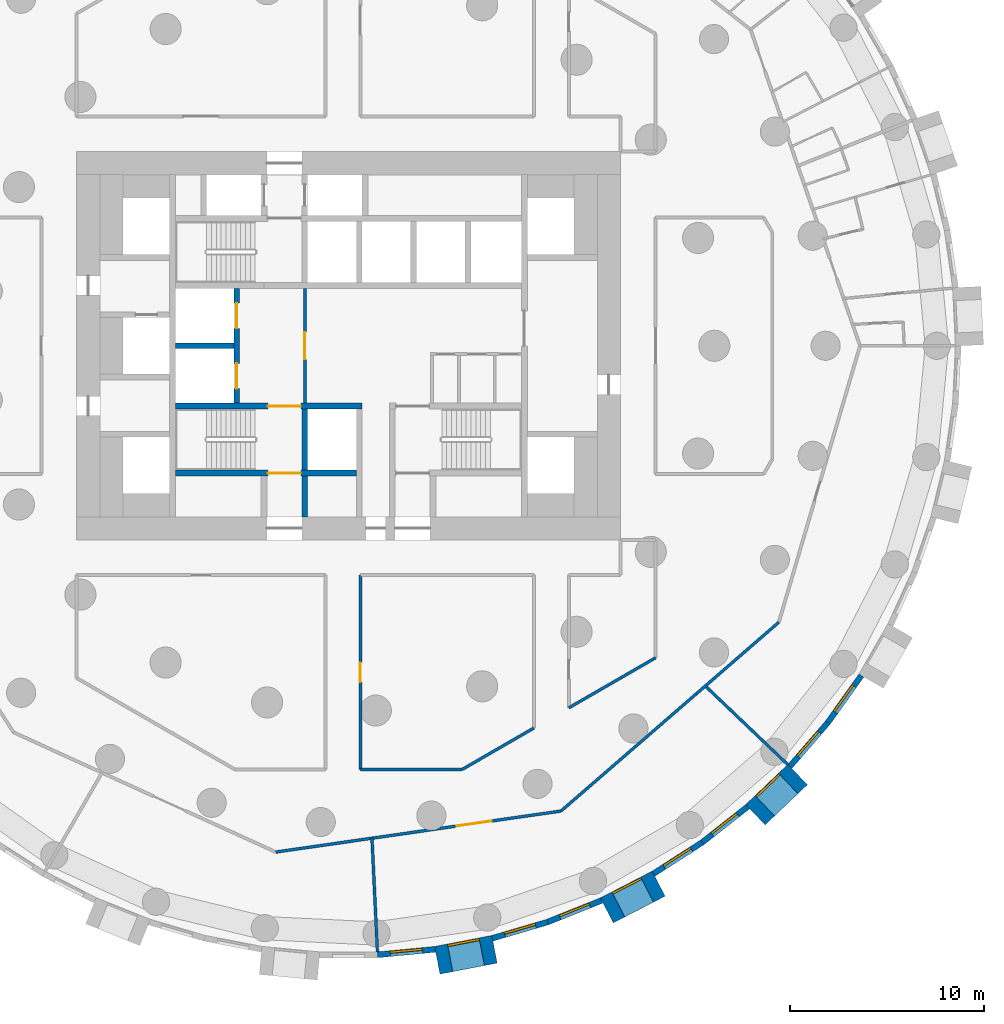
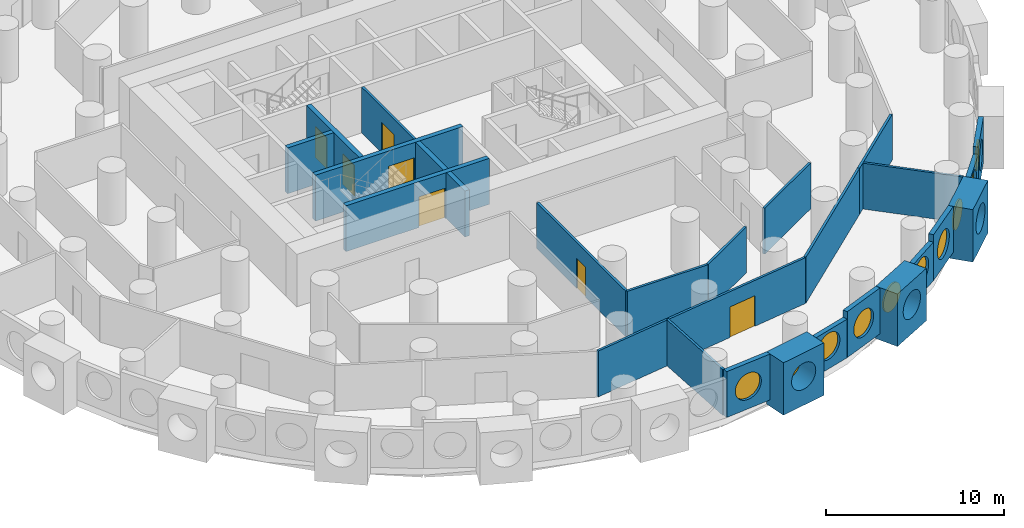
# One storey, part 4 of 12: 26 walls, 10 windows, 7 doors, 17 openings.
"""IFC4 building model written with IfcOpenShell, lengths in metres."""

from ifc_helpers import new_model, si_unit, direction, frame, frame_2d, origin, origin_2d, place, context, subcontext, project, spatial, rectangle, circle, extrude, material, layer, layer_set, type_object, element, fill, save


model = new_model("IFC4")

# Units and contexts
model_context = context("Model", 3, precision=1e-05, world=origin(), true_north=direction((0.0, 1.0)))
body_context = subcontext(model_context, "Body", "Model", "MODEL_VIEW")
ifc_project = project(units=[si_unit("LENGTHUNIT", "METRE"), si_unit("AREAUNIT", "SQUARE_METRE"), si_unit("VOLUMEUNIT", "CUBIC_METRE"), si_unit("PLANEANGLEUNIT", "RADIAN"), si_unit("MASSUNIT", "GRAM", prefix="KILO")], contexts=[model_context])

# Site, building, storey
site_placement = place(None, origin())
site = spatial("IfcSite", under=ifc_project, at=site_placement, CompositionType="ELEMENT")
building_placement = place(site_placement, origin())
building = spatial("IfcBuilding", under=site, at=building_placement, Name="Tracery Tower", CompositionType="ELEMENT")
storey_placement = place(building_placement, frame((0.0, 0.0, 42.60009765625)))
storey = spatial("IfcBuildingStorey", under=building, at=storey_placement, Name="L09", CompositionType="ELEMENT", Elevation=42.60009765625)

# Wall, opening, door
ifc_material_1 = material(Name="Plasterboard on steel studs", Category="steel")
ifc_layer_1 = layer(ifc_material_1, 0.14990234375)
ifc_layer_set_1 = layer_set([ifc_layer_1], Name="Core lobby partition 150")
wall_type_1 = type_object("IfcWallType", Name="Core lobby partition 150", PredefinedType="SOLIDWALL", material=ifc_layer_set_1)
wall_1_placement = place(storey_placement, frame((-2.25, -2.949951171875, 0.0), z_axis=(0.0, 0.0, 1.0), x_axis=(0.0, 1.0, 0.0)))
wall_1 = element("IfcWall", 1, at=wall_1_placement, inside=storey, type_object=wall_type_1, Name="L09 FF lobby E", PredefinedType="SOLIDWALL", context=body_context, shape_type="SweptSolid", body=[
    extrude(rectangle(XDim=5.89990234375, YDim=0.14990234375, at=frame_2d((2.949951171875, 0.0))), origin(), (0.0, 0.0, 1.0), 3.14990234375),
])
opening_1_placement = place(wall_1_placement, frame((2.25, 0.0, 0.0)))
opening_1 = element("IfcOpeningElement", 2, at=opening_1_placement, cuts=wall_1, Name="Opening KD8", PredefinedType="OPENING", context=body_context, shape_type="SweptSolid", body=[
    extrude(rectangle(XDim=1.39990234375, YDim=2.10009765625, at=frame_2d((0.699951171875, 1.050048828125))), frame((0.0, 0.074951171875, 0.0), z_axis=(0.0, -1.0, 0.0), x_axis=(1.0, 0.0, 0.0)), (0.0, 0.0, 1.0), 0.14990234375),
])
ifc_material_2 = material(Name="Steel fire door", Category="steel")
door_type_1 = type_object("IfcDoorType", Name="Core lobby door 1400 double", OperationType="NOTDEFINED", PredefinedType="DOOR", material=ifc_material_2)
door_1_placement = place(opening_1_placement, origin())
door_1 = element("IfcDoor", 3, at=door_1_placement, inside=storey, type_object=door_type_1, Name="Fire-fighting lobby door", OperationType="DOUBLE_DOOR_SINGLE_SWING", OverallHeight=2.10009765625, OverallWidth=1.39990234375, PredefinedType="DOOR", context=body_context, shape_type="SweptSolid", body=[
    extrude(rectangle(XDim=1.39990234375, YDim=2.10009765625, at=frame_2d((0.699951171875, 1.050048828125))), frame((0.0, 0.02490234375, 0.0), z_axis=(0.0, -1.0, 0.0), x_axis=(1.0, 0.0, 0.0)), (0.0, 0.0, 1.0), 0.050048828125),
])
fill(opening_1, door_1)

# Wall, opening, window
ifc_material_3 = material(Name="Precast concrete C50/60", Category="concrete")
ifc_layer_2 = layer(ifc_material_3, 1.449951171875)
ifc_layer_set_2 = layer_set([ifc_layer_2], Name="Deep-set bay unit 3000 x 3600, slab edge 450")
wall_type_2 = type_object("IfcWallType", Name="Deep-set bay unit 3000 x 3600, slab edge 450", PredefinedType="ELEMENTEDWALL", material=ifc_layer_set_2)
wall_2_placement = place(storey_placement, frame((4.56689453125, -31.62109375, -0.4501953125), z_axis=(0.0, 0.0, 1.0), x_axis=(0.981921602273, 0.189288052949, 0.0)))
wall_2 = element("IfcWall", 4, at=wall_2_placement, inside=storey, type_object=wall_type_2, Name="Deep-set bay unit 52 at L09", PredefinedType="ELEMENTEDWALL", context=body_context, shape_type="SweptSolid", body=[
    extrude(rectangle(XDim=3.0, YDim=1.449951171875, at=frame_2d((1.5, 0.0))), origin(), (0.0, 0.0, 1.0), 3.60009765625),
])
opening_2_placement = place(wall_2_placement, frame((1.5, 0.0, 2.0)))
opening_2 = element("IfcOpeningElement", 5, at=opening_2_placement, cuts=wall_2, Name="Opening WN1", PredefinedType="OPENING", context=body_context, shape_type="SweptSolid", body=[
    extrude(circle(Radius=0.9000244140625, at=origin_2d()), frame((0.0, 0.73486328125, 0.0), z_axis=(0.0, -1.0, 0.0), x_axis=(1.0, 0.0, 0.0)), (0.0, 0.0, 1.0), 1.469970703125),
])
ifc_material_4 = material(Name="Aluminium frame with tinted double glazing", Category="aluminium")
window_type = type_object("IfcWindowType", Name="Round window 1800", PartitioningType="SINGLE_PANEL", PredefinedType="WINDOW", material=ifc_material_4)
window_1_placement = place(opening_2_placement, origin())
window_1 = element("IfcWindow", 6, at=window_1_placement, inside=storey, type_object=window_type, Name="Round window 52 at L09", OverallHeight=1.800048828125, OverallWidth=1.800048828125, PartitioningType="SINGLE_PANEL", PredefinedType="WINDOW", context=body_context, shape_type="SweptSolid", body=[
    extrude(circle(Radius=0.9000244140625, at=origin_2d()), frame((0.0, 0.69482421875, 0.0), z_axis=(0.0, -1.0, 0.0), x_axis=(1.0, 0.0, 0.0)), (0.0, 0.0, 1.0), 0.10009765625),
])
fill(opening_2, window_1)

wall_3_placement = place(storey_placement, frame((13.29052734375, -29.053466796875, -0.4501953125), z_axis=(0.0, 0.0, 1.0), x_axis=(0.888858064689, 0.458182650083, 0.0)))
wall_3 = element("IfcWall", 7, at=wall_3_placement, inside=storey, type_object=wall_type_2, Name="Deep-set bay unit 55 at L09", PredefinedType="ELEMENTEDWALL", context=body_context, shape_type="SweptSolid", body=[
    extrude(rectangle(XDim=3.0, YDim=1.449951171875, at=frame_2d((1.5, 0.0))), origin(), (0.0, 0.0, 1.0), 3.60009765625),
])
opening_3_placement = place(wall_3_placement, frame((1.5, 0.0, 2.0)))
opening_3 = element("IfcOpeningElement", 8, at=opening_3_placement, cuts=wall_3, Name="Opening WN1", PredefinedType="OPENING", context=body_context, shape_type="SweptSolid", body=[
    extrude(circle(Radius=0.9000244140625, at=origin_2d()), frame((0.0, 0.73486328125, 0.0), z_axis=(0.0, -1.0, 0.0), x_axis=(1.0, 0.0, 0.0)), (0.0, 0.0, 1.0), 1.469970703125),
])
window_2_placement = place(opening_3_placement, origin())
window_2 = element("IfcWindow", 9, at=window_2_placement, inside=storey, type_object=window_type, Name="Round window 55 at L09", OverallHeight=1.800048828125, OverallWidth=1.800048828125, PartitioningType="SINGLE_PANEL", PredefinedType="WINDOW", context=body_context, shape_type="SweptSolid", body=[
    extrude(circle(Radius=0.9000244140625, at=origin_2d()), frame((0.0, 0.69482421875, 0.0), z_axis=(0.0, -1.0, 0.0), x_axis=(1.0, 0.0, 0.0)), (0.0, 0.0, 1.0), 0.10009765625),
])
fill(opening_3, window_2)

wall_4_placement = place(storey_placement, frame((20.9375, -24.13232421875, -0.4501953125), z_axis=(0.0, 0.0, 1.0), x_axis=(0.723712023899, 0.690102098579, 0.0)))
wall_4 = element("IfcWall", 10, at=wall_4_placement, inside=storey, type_object=wall_type_2, Name="Deep-set bay unit 58 at L09", PredefinedType="ELEMENTEDWALL", context=body_context, shape_type="SweptSolid", body=[
    extrude(rectangle(XDim=3.0, YDim=1.449951171875, at=frame_2d((1.5, 0.0))), origin(), (0.0, 0.0, 1.0), 3.60009765625),
])
opening_4_placement = place(wall_4_placement, frame((1.5, 0.0, 2.0)))
opening_4 = element("IfcOpeningElement", 11, at=opening_4_placement, cuts=wall_4, Name="Opening WN1", PredefinedType="OPENING", context=body_context, shape_type="SweptSolid", body=[
    extrude(circle(Radius=0.9000244140625, at=origin_2d()), frame((0.0, 0.73486328125, 0.0), z_axis=(0.0, -1.0, 0.0), x_axis=(1.0, 0.0, 0.0)), (0.0, 0.0, 1.0), 1.469970703125),
])
window_3_placement = place(opening_4_placement, origin())
window_3 = element("IfcWindow", 12, at=window_3_placement, inside=storey, type_object=window_type, Name="Round window 58 at L09", OverallHeight=1.800048828125, OverallWidth=1.800048828125, PartitioningType="SINGLE_PANEL", PredefinedType="WINDOW", context=body_context, shape_type="SweptSolid", body=[
    extrude(circle(Radius=0.9000244140625, at=origin_2d()), frame((0.0, 0.69482421875, 0.0), z_axis=(0.0, -1.0, 0.0), x_axis=(1.0, 0.0, 0.0)), (0.0, 0.0, 1.0), 0.10009765625),
])
fill(opening_4, window_3)

ifc_material_5 = material(Name="Precast concrete C50/60", Category="concrete")
ifc_layer_3 = layer(ifc_material_5, 0.300048828125)
ifc_layer_set_3 = layer_set([ifc_layer_3], Name="Facade panel 3000 x 2650")
wall_type_3 = type_object("IfcWallType", Name="Facade panel 3000 x 2650", PredefinedType="SOLIDWALL", material=ifc_layer_set_3)
wall_5_placement = place(storey_placement, frame((7.402587890625, -30.48828125, 0.0), z_axis=(0.0, 0.0, 1.0), x_axis=(0.959501085144, 0.281704930036, 0.0)))
wall_5 = element("IfcWall", 13, at=wall_5_placement, inside=storey, type_object=wall_type_3, Name="Facade panel 53 at L09", PredefinedType="SOLIDWALL", context=body_context, shape_type="SweptSolid", body=[
    extrude(rectangle(XDim=2.9794921875, YDim=0.300048828125, at=frame_2d((1.48974609375, 0.0))), origin(), (0.0, 0.0, 1.0), 2.64990234375),
])
opening_5_placement = place(wall_5_placement, frame((1.48974609375, 0.0, 1.5498046875)))
opening_5 = element("IfcOpeningElement", 14, at=opening_5_placement, cuts=wall_5, Name="Opening WN1", PredefinedType="OPENING", context=body_context, shape_type="SweptSolid", body=[
    extrude(circle(Radius=0.9000244140625, at=origin_2d()), frame((0.0, 0.159912109375, 0.0), z_axis=(0.0, -1.0, 0.0), x_axis=(1.0, 0.0, 0.0)), (0.0, 0.0, 1.0), 0.320068359375),
])
window_4_placement = place(opening_5_placement, origin())
window_4 = element("IfcWindow", 15, at=window_4_placement, inside=storey, type_object=window_type, Name="Round window 53 at L09", OverallHeight=1.800048828125, OverallWidth=1.800048828125, PartitioningType="SINGLE_PANEL", PredefinedType="WINDOW", context=body_context, shape_type="SweptSolid", body=[
    extrude(circle(Radius=0.9000244140625, at=origin_2d()), frame((0.0, 0.1201171875, 0.0), z_axis=(0.0, -1.0, 0.0), x_axis=(1.0, 0.0, 0.0)), (0.0, 0.0, 1.0), 0.10009765625),
])
fill(opening_5, window_4)

wall_6_placement = place(storey_placement, frame((15.6923828125, -27.167724609375, 0.0), z_axis=(0.0, 0.0, 1.0), x_axis=(0.841260995538, 0.54062920508, 0.0)))
wall_6 = element("IfcWall", 16, at=wall_6_placement, inside=storey, type_object=wall_type_3, Name="Facade panel 56 at L09", PredefinedType="SOLIDWALL", context=body_context, shape_type="SweptSolid", body=[
    extrude(rectangle(XDim=2.9794921875, YDim=0.300048828125, at=frame_2d((1.48974609375, 0.0))), origin(), (0.0, 0.0, 1.0), 2.64990234375),
])
opening_6_placement = place(wall_6_placement, frame((1.48974609375, 0.0, 1.5498046875)))
opening_6 = element("IfcOpeningElement", 17, at=opening_6_placement, cuts=wall_6, Name="Opening WN1", PredefinedType="OPENING", context=body_context, shape_type="SweptSolid", body=[
    extrude(circle(Radius=0.9000244140625, at=origin_2d()), frame((0.0, 0.159912109375, 0.0), z_axis=(0.0, -1.0, 0.0), x_axis=(1.0, 0.0, 0.0)), (0.0, 0.0, 1.0), 0.320068359375),
])
window_5_placement = place(opening_6_placement, origin())
window_5 = element("IfcWindow", 18, at=window_5_placement, inside=storey, type_object=window_type, Name="Round window 56 at L09", OverallHeight=1.800048828125, OverallWidth=1.800048828125, PartitioningType="SINGLE_PANEL", PredefinedType="WINDOW", context=body_context, shape_type="SweptSolid", body=[
    extrude(circle(Radius=0.9000244140625, at=origin_2d()), frame((0.0, 0.1201171875, 0.0), z_axis=(0.0, -1.0, 0.0), x_axis=(1.0, 0.0, 0.0)), (0.0, 0.0, 1.0), 0.10009765625),
])
fill(opening_6, window_5)

wall_7_placement = place(storey_placement, frame((22.710693359375, -21.646240234375, 0.0), z_axis=(0.0, 0.0, 1.0), x_axis=(0.654830712471, 0.755775587066, 0.0)))
wall_7 = element("IfcWall", 19, at=wall_7_placement, inside=storey, type_object=wall_type_3, Name="Facade panel 59 at L09", PredefinedType="SOLIDWALL", context=body_context, shape_type="SweptSolid", body=[
    extrude(rectangle(XDim=2.979736328125, YDim=0.300048828125, at=frame_2d((1.48974609375, 0.0))), origin(), (0.0, 0.0, 1.0), 2.64990234375),
])
opening_7_placement = place(wall_7_placement, frame((1.48974609375, 0.0, 1.5498046875)))
opening_7 = element("IfcOpeningElement", 20, at=opening_7_placement, cuts=wall_7, Name="Opening WN1", PredefinedType="OPENING", context=body_context, shape_type="SweptSolid", body=[
    extrude(circle(Radius=0.9000244140625, at=origin_2d()), frame((0.0, 0.159912109375, 0.0), z_axis=(0.0, -1.0, 0.0), x_axis=(1.0, 0.0, 0.0)), (0.0, 0.0, 1.0), 0.320068359375),
])
window_6_placement = place(opening_7_placement, origin())
window_6 = element("IfcWindow", 21, at=window_6_placement, inside=storey, type_object=window_type, Name="Round window 59 at L09", OverallHeight=1.800048828125, OverallWidth=1.800048828125, PartitioningType="SINGLE_PANEL", PredefinedType="WINDOW", context=body_context, shape_type="SweptSolid", body=[
    extrude(circle(Radius=0.9000244140625, at=origin_2d()), frame((0.0, 0.1201171875, 0.0), z_axis=(0.0, -1.0, 0.0), x_axis=(1.0, 0.0, 0.0)), (0.0, 0.0, 1.0), 0.10009765625),
])
fill(opening_7, window_6)

ifc_material_6 = material(Name="Precast concrete C50/60", Category="concrete")
ifc_layer_4 = layer(ifc_material_6, 0.300048828125)
ifc_layer_set_4 = layer_set([ifc_layer_4], Name="Facade panel 3000 x 3150")
wall_type_4 = type_object("IfcWallType", Name="Facade panel 3000 x 3150", PredefinedType="SOLIDWALL", material=ifc_layer_set_4)
wall_8_placement = place(storey_placement, frame((1.492919921875, -31.3388671875, 0.0), z_axis=(0.0, 0.0, 1.0), x_axis=(0.995472611385, 0.095048829468, 0.0)))
wall_8 = element("IfcWall", 22, at=wall_8_placement, inside=storey, type_object=wall_type_4, Name="Facade panel 51 at L09", PredefinedType="SOLIDWALL", context=body_context, shape_type="SweptSolid", body=[
    extrude(rectangle(XDim=2.9794921875, YDim=0.300048828125, at=frame_2d((1.48974609375, 0.0))), origin(), (0.0, 0.0, 1.0), 3.14990234375),
])
opening_8_placement = place(wall_8_placement, frame((1.48974609375, 0.0, 1.5498046875)))
opening_8 = element("IfcOpeningElement", 23, at=opening_8_placement, cuts=wall_8, Name="Opening WN1", PredefinedType="OPENING", context=body_context, shape_type="SweptSolid", body=[
    extrude(circle(Radius=0.9000244140625, at=origin_2d()), frame((0.0, 0.159912109375, 0.0), z_axis=(0.0, -1.0, 0.0), x_axis=(1.0, 0.0, 0.0)), (0.0, 0.0, 1.0), 0.320068359375),
])
window_7_placement = place(opening_8_placement, origin())
window_7 = element("IfcWindow", 24, at=window_7_placement, inside=storey, type_object=window_type, Name="Round window 51 at L09", OverallHeight=1.800048828125, OverallWidth=1.800048828125, PartitioningType="SINGLE_PANEL", PredefinedType="WINDOW", context=body_context, shape_type="SweptSolid", body=[
    extrude(circle(Radius=0.9000244140625, at=origin_2d()), frame((0.0, 0.1201171875, 0.0), z_axis=(0.0, -1.0, 0.0), x_axis=(1.0, 0.0, 0.0)), (0.0, 0.0, 1.0), 0.10009765625),
])
fill(opening_8, window_7)

wall_9_placement = place(storey_placement, frame((10.261474609375, -29.64892578125, 0.0), z_axis=(0.0, 0.0, 1.0), x_axis=(0.928374947, 0.371644935098, 0.0)))
wall_9 = element("IfcWall", 25, at=wall_9_placement, inside=storey, type_object=wall_type_4, Name="Facade panel 54 at L09", PredefinedType="SOLIDWALL", context=body_context, shape_type="SweptSolid", body=[
    extrude(rectangle(XDim=2.979736328125, YDim=0.300048828125, at=frame_2d((1.48974609375, 0.0))), origin(), (0.0, 0.0, 1.0), 3.14990234375),
])
opening_9_placement = place(wall_9_placement, frame((1.48974609375, 0.0, 1.5498046875)))
opening_9 = element("IfcOpeningElement", 26, at=opening_9_placement, cuts=wall_9, Name="Opening WN1", PredefinedType="OPENING", context=body_context, shape_type="SweptSolid", body=[
    extrude(circle(Radius=0.9000244140625, at=origin_2d()), frame((0.0, 0.159912109375, 0.0), z_axis=(0.0, -1.0, 0.0), x_axis=(1.0, 0.0, 0.0)), (0.0, 0.0, 1.0), 0.320068359375),
])
window_8_placement = place(opening_9_placement, origin())
window_8 = element("IfcWindow", 27, at=window_8_placement, inside=storey, type_object=window_type, Name="Round window 54 at L09", OverallHeight=1.800048828125, OverallWidth=1.800048828125, PartitioningType="SINGLE_PANEL", PredefinedType="WINDOW", context=body_context, shape_type="SweptSolid", body=[
    extrude(circle(Radius=0.9000244140625, at=origin_2d()), frame((0.0, 0.1201171875, 0.0), z_axis=(0.0, -1.0, 0.0), x_axis=(1.0, 0.0, 0.0)), (0.0, 0.0, 1.0), 0.10009765625),
])
fill(opening_9, window_8)

wall_10_placement = place(storey_placement, frame((18.198974609375, -25.556884765625, 0.0), z_axis=(0.0, 0.0, 1.0), x_axis=(0.786053834673, 0.618158045322, 0.0)))
wall_10 = element("IfcWall", 28, at=wall_10_placement, inside=storey, type_object=wall_type_4, Name="Facade panel 57 at L09", PredefinedType="SOLIDWALL", context=body_context, shape_type="SweptSolid", body=[
    extrude(rectangle(XDim=2.9794921875, YDim=0.300048828125, at=frame_2d((1.48974609375, 0.0))), origin(), (0.0, 0.0, 1.0), 3.14990234375),
])
opening_10_placement = place(wall_10_placement, frame((1.48974609375, 0.0, 1.5498046875)))
opening_10 = element("IfcOpeningElement", 29, at=opening_10_placement, cuts=wall_10, Name="Opening WN1", PredefinedType="OPENING", context=body_context, shape_type="SweptSolid", body=[
    extrude(circle(Radius=0.9000244140625, at=origin_2d()), frame((0.0, 0.159912109375, 0.0), z_axis=(0.0, -1.0, 0.0), x_axis=(1.0, 0.0, 0.0)), (0.0, 0.0, 1.0), 0.320068359375),
])
window_9_placement = place(opening_10_placement, origin())
window_9 = element("IfcWindow", 30, at=window_9_placement, inside=storey, type_object=window_type, Name="Round window 57 at L09", OverallHeight=1.800048828125, OverallWidth=1.800048828125, PartitioningType="SINGLE_PANEL", PredefinedType="WINDOW", context=body_context, shape_type="SweptSolid", body=[
    extrude(circle(Radius=0.9000244140625, at=origin_2d()), frame((0.0, 0.1201171875, 0.0), z_axis=(0.0, -1.0, 0.0), x_axis=(1.0, 0.0, 0.0)), (0.0, 0.0, 1.0), 0.10009765625),
])
fill(opening_10, window_9)

wall_11_placement = place(storey_placement, frame((24.661865234375, -19.394287109375, 0.0), z_axis=(0.0, 0.0, 1.0), x_axis=(0.580113774115, 0.814535456, 0.0)))
wall_11 = element("IfcWall", 31, at=wall_11_placement, inside=storey, type_object=wall_type_4, Name="Facade panel 60 at L09", PredefinedType="SOLIDWALL", context=body_context, shape_type="SweptSolid", body=[
    extrude(rectangle(XDim=2.979736328125, YDim=0.300048828125, at=frame_2d((1.48974609375, 0.0))), origin(), (0.0, 0.0, 1.0), 3.14990234375),
])
opening_11_placement = place(wall_11_placement, frame((1.48974609375, 0.0, 1.5498046875)))
opening_11 = element("IfcOpeningElement", 32, at=opening_11_placement, cuts=wall_11, Name="Opening WN1", PredefinedType="OPENING", context=body_context, shape_type="SweptSolid", body=[
    extrude(circle(Radius=0.9000244140625, at=origin_2d()), frame((0.0, 0.159912109375, 0.0), z_axis=(0.0, -1.0, 0.0), x_axis=(1.0, 0.0, 0.0)), (0.0, 0.0, 1.0), 0.320068359375),
])
window_10_placement = place(opening_11_placement, origin())
window_10 = element("IfcWindow", 33, at=window_10_placement, inside=storey, type_object=window_type, Name="Round window 60 at L09", OverallHeight=1.800048828125, OverallWidth=1.800048828125, PartitioningType="SINGLE_PANEL", PredefinedType="WINDOW", context=body_context, shape_type="SweptSolid", body=[
    extrude(circle(Radius=0.9000244140625, at=origin_2d()), frame((0.0, 0.1201171875, 0.0), z_axis=(0.0, -1.0, 0.0), x_axis=(1.0, 0.0, 0.0)), (0.0, 0.0, 1.0), 0.10009765625),
])
fill(opening_11, window_10)

# Walls
ifc_material_7 = material(Name="Plasterboard on steel studs", Category="steel")
ifc_layer_5 = layer(ifc_material_7, 0.14990234375)
ifc_layer_set_5 = layer_set([ifc_layer_5], Name="Partition 150 acoustic unit wall")
wall_type_5 = type_object("IfcWallType", Name="Partition 150 acoustic unit wall", PredefinedType="PARTITIONING", material=ifc_layer_set_5)
for number, where, z_axis, x_axis, name in (
    (34, (1.20703125, -25.339111328125, 0.0), (0.0, 0.0, 1.0), (0.047648334785, -0.998864173045, 0.0), "Unit wall RA2-121"),
    (35, (18.35888671875, -17.506103515625, 0.0), (0.0, 0.0, 1.0), (0.723808715798, -0.690000683286, 0.0), "Unit wall RA2-122"),
):
    element("IfcWall", number, at=place(storey_placement, frame(where, z_axis=z_axis, x_axis=x_axis)), inside=storey, type_object=wall_type_5, Name=name, PredefinedType="PARTITIONING", context=body_context, shape_type="SweptSolid", body=[
        extrude(rectangle(XDim=5.8564453125, YDim=0.14990234375, at=frame_2d((2.92822265625, 0.0))), origin(), (0.0, 0.0, 1.0), 3.14990234375),
    ])
ifc_material_8 = material(Name="Plasterboard on steel studs", Category="steel")
ifc_layer_6 = layer(ifc_material_8, 0.14990234375)
ifc_layer_set_6 = layer_set([ifc_layer_6], Name="Partition 150 corridor wall")
wall_type_6 = type_object("IfcWallType", Name="Partition 150 corridor wall", PredefinedType="PARTITIONING", material=ifc_layer_set_6)
wall_12_placement = place(storey_placement, frame((17.902099609375, -17.902099609375, 0.0), z_axis=(0.0, 0.0, 1.0), x_axis=(0.755408961329, 0.655253615895, 0.0)))
element("IfcWall", 36, at=wall_12_placement, inside=storey, type_object=wall_type_6, Name="Corridor wall RA2-022", PredefinedType="PARTITIONING", context=body_context, shape_type="SweptSolid", body=[
    extrude(rectangle(XDim=5.60888671875, YDim=0.14990234375, at=frame_2d((2.804443359375, 0.0))), origin(), (0.0, 0.0, 1.0), 3.14990234375),
])

# Wall, opening, door
wall_13_placement = place(storey_placement, frame((0.60791015625, -21.802001953125, 0.0), z_axis=(0.0, 0.0, 1.0), x_axis=(0.0, 1.0, 0.0)))
wall_13 = element("IfcWall", 37, at=wall_13_placement, inside=storey, type_object=wall_type_6, Name="Corridor wall RA2-049", PredefinedType="PARTITIONING", context=body_context, shape_type="SweptSolid", body=[
    extrude(rectangle(XDim=10.001953125, YDim=0.14990234375, at=frame_2d((5.0009765625, 0.0))), origin(), (0.0, 0.0, 1.0), 3.14990234375),
])
opening_12_placement = place(wall_13_placement, frame((4.5009765625, 0.0, 0.0)))
opening_12 = element("IfcOpeningElement", 38, at=opening_12_placement, cuts=wall_13, Name="Opening RA2-05", PredefinedType="OPENING", context=body_context, shape_type="SweptSolid", body=[
    extrude(rectangle(XDim=1.0, YDim=2.0400390625, at=frame_2d((0.5, 1.02001953125))), frame((0.0, 0.074951171875, 0.0), z_axis=(0.0, -1.0, 0.0), x_axis=(1.0, 0.0, 0.0)), (0.0, 0.0, 1.0), 0.14990234375),
])
ifc_material_9 = material(Name="Timber door leaf", Category="wood")
door_type_2 = type_object("IfcDoorType", Name="Door communal room 1000", OperationType="NOTDEFINED", PredefinedType="DOOR", material=ifc_material_9)
door_2_placement = place(opening_12_placement, origin())
door_2 = element("IfcDoor", 39, at=door_2_placement, inside=storey, type_object=door_type_2, Name="Communal room door RA2-05", OperationType="SINGLE_SWING_RIGHT", OverallHeight=2.0400390625, OverallWidth=1.0, PredefinedType="DOOR", context=body_context, shape_type="SweptSolid", body=[
    extrude(rectangle(XDim=1.0, YDim=2.0400390625, at=frame_2d((0.5, 1.02001953125))), frame((0.0, 0.02490234375, 0.0), z_axis=(0.0, -1.0, 0.0), x_axis=(1.0, 0.0, 0.0)), (0.0, 0.0, 1.0), 0.050048828125),
])
fill(opening_12, door_2)

# Walls
wall_14_placement = place(storey_placement, frame((0.60791015625, -21.802001953125, 0.0), z_axis=(0.0, 0.0, 1.0), x_axis=(1.0, 0.0, 0.0)))
element("IfcWall", 40, at=wall_14_placement, inside=storey, type_object=wall_type_6, Name="Corridor wall RA2-050", PredefinedType="PARTITIONING", context=body_context, shape_type="SweptSolid", body=[
    extrude(rectangle(XDim=5.234130859375, YDim=0.14990234375, at=frame_2d((2.6171875, 0.0))), origin(), (0.0, 0.0, 1.0), 3.14990234375),
])
wall_15_placement = place(storey_placement, frame((5.842041015625, -21.802001953125, 0.0), z_axis=(0.0, 0.0, 1.0), x_axis=(0.865983505205, 0.500072563448, 0.0)))
element("IfcWall", 41, at=wall_15_placement, inside=storey, type_object=wall_type_6, Name="Corridor wall RA2-051", PredefinedType="PARTITIONING", context=body_context, shape_type="SweptSolid", body=[
    extrude(rectangle(XDim=4.265380859375, YDim=0.14990234375, at=frame_2d((2.1328125, 0.0))), origin(), (0.0, 0.0, 1.0), 3.14990234375),
])
wall_16_placement = place(storey_placement, frame((11.3359375, -18.6298828125, 0.0), z_axis=(0.0, 0.0, 1.0), x_axis=(0.866063337164, 0.499934291702, 0.0)))
element("IfcWall", 42, at=wall_16_placement, inside=storey, type_object=wall_type_6, Name="Corridor wall RA2-054", PredefinedType="PARTITIONING", context=body_context, shape_type="SweptSolid", body=[
    extrude(rectangle(XDim=5.154541015625, YDim=0.14990234375, at=frame_2d((2.5771484375, 0.0))), origin(), (0.0, 0.0, 1.0), 3.14990234375),
])

# Wall, opening, door
wall_17_placement = place(storey_placement, frame((-3.74609375, -26.051025390625, 0.0), z_axis=(0.0, 0.0, 1.0), x_axis=(0.9898137179, 0.142368549395, 0.0)))
wall_17 = element("IfcWall", 43, at=wall_17_placement, inside=storey, type_object=wall_type_6, Name="Corridor wall RA2-056", PredefinedType="PARTITIONING", context=body_context, shape_type="SweptSolid", body=[
    extrude(rectangle(XDim=14.830078125, YDim=0.14990234375, at=frame_2d((7.4150390625, 0.0))), origin(), (0.0, 0.0, 1.0), 3.14990234375),
])
opening_13_placement = place(wall_17_placement, frame((9.4150390625, 0.0, 0.0)))
opening_13 = element("IfcOpeningElement", 44, at=opening_13_placement, cuts=wall_17, Name="Opening RA2-49", PredefinedType="OPENING", context=body_context, shape_type="SweptSolid", body=[
    extrude(rectangle(XDim=1.800048828125, YDim=2.10009765625, at=frame_2d((0.89990234375, 1.050048828125))), frame((0.0, 0.074951171875, 0.0), z_axis=(0.0, -1.0, 0.0), x_axis=(1.0, 0.0, 0.0)), (0.0, 0.0, 1.0), 0.14990234375),
])
ifc_material_10 = material(Name="Timber door leaf", Category="wood")
door_type_3 = type_object("IfcDoorType", Name="Door double lounge 1800", OperationType="NOTDEFINED", PredefinedType="DOOR", material=ifc_material_10)
door_3_placement = place(opening_13_placement, origin())
door_3 = element("IfcDoor", 45, at=door_3_placement, inside=storey, type_object=door_type_3, Name="Double lounge door RA2-49", OperationType="DOUBLE_DOOR_SINGLE_SWING", OverallHeight=2.10009765625, OverallWidth=1.800048828125, PredefinedType="DOOR", context=body_context, shape_type="SweptSolid", body=[
    extrude(rectangle(XDim=1.800048828125, YDim=2.10009765625, at=frame_2d((0.89990234375, 1.050048828125))), frame((0.0, 0.02490234375, 0.0), z_axis=(0.0, -1.0, 0.0), x_axis=(1.0, 0.0, 0.0)), (0.0, 0.0, 1.0), 0.050048828125),
])
fill(opening_13, door_3)

# Walls
wall_18_placement = place(storey_placement, frame((10.93310546875, -23.93994140625, 0.0), z_axis=(0.0, 0.0, 1.0), x_axis=(0.755793907002, 0.654809567843, 0.0)))
element("IfcWall", 46, at=wall_18_placement, inside=storey, type_object=wall_type_6, Name="Corridor wall RA2-057", PredefinedType="PARTITIONING", context=body_context, shape_type="SweptSolid", body=[
    extrude(rectangle(XDim=9.220703125, YDim=0.14990234375, at=frame_2d((4.6103515625, 0.0))), origin(), (0.0, 0.0, 1.0), 3.14990234375),
])
ifc_material_11 = material(Name="Concrete C60/75", Category="concrete")
ifc_layer_7 = layer(ifc_material_11, 0.300048828125)
ifc_layer_set_7 = layer_set([ifc_layer_7], Name="Shaft wall 300 C60")
wall_type_7 = type_object("IfcWallType", Name="Shaft wall 300 C60", PredefinedType="SOLIDWALL", material=ifc_layer_set_7)
wall_19_placement = place(storey_placement, frame((-8.89990234375, 0.0, 0.0), z_axis=(0.0, 0.0, 1.0), x_axis=(1.0, 0.0, 0.0)))
element("IfcWall", 47, at=wall_19_placement, inside=storey, type_object=wall_type_7, Name="L09 FF split", PredefinedType="SOLIDWALL", context=body_context, shape_type="SweptSolid", body=[
    extrude(rectangle(XDim=3.0, YDim=0.300048828125, at=frame_2d((1.5, 0.0))), origin(), (0.0, 0.0, 1.0), 3.14990234375),
])

# Wall, openings, doors
wall_20_placement = place(storey_placement, frame((-5.75, -2.949951171875, 0.0), z_axis=(0.0, 0.0, 1.0), x_axis=(0.0, 1.0, 0.0)))
wall_20 = element("IfcWall", 48, at=wall_20_placement, inside=storey, type_object=wall_type_7, Name="L09 FF doors", PredefinedType="SOLIDWALL", context=body_context, shape_type="SweptSolid", body=[
    extrude(rectangle(XDim=5.89990234375, YDim=0.300048828125, at=frame_2d((2.949951171875, 0.0))), origin(), (0.0, 0.0, 1.0), 3.14990234375),
])
opening_14_placement = place(wall_20_placement, frame((0.75, 0.0, 0.0)))
opening_14 = element("IfcOpeningElement", 49, at=opening_14_placement, cuts=wall_20, Name="Opening KD54", PredefinedType="OPENING", context=body_context, shape_type="SweptSolid", body=[
    extrude(rectangle(XDim=1.300048828125, YDim=2.10009765625, at=frame_2d((0.64990234375, 1.050048828125))), frame((0.0, 0.14990234375, 0.0), z_axis=(0.0, -1.0, 0.0), x_axis=(1.0, 0.0, 0.0)), (0.0, 0.0, 1.0), 0.300048828125),
])
opening_15_placement = place(wall_20_placement, frame((3.85009765625, 0.0, 0.0)))
opening_15 = element("IfcOpeningElement", 50, at=opening_15_placement, cuts=wall_20, Name="Opening KD55", PredefinedType="OPENING", context=body_context, shape_type="SweptSolid", body=[
    extrude(rectangle(XDim=1.300048828125, YDim=2.10009765625, at=frame_2d((0.64990234375, 1.050048828125))), frame((0.0, 0.14990234375, 0.0), z_axis=(0.0, -1.0, 0.0), x_axis=(1.0, 0.0, 0.0)), (0.0, 0.0, 1.0), 0.300048828125),
])
ifc_material_12 = material(Name="Steel fire door", Category="steel")
door_type_4 = type_object("IfcDoorType", Name="Landing door FF 1300", OperationType="NOTDEFINED", PredefinedType="DOOR", material=ifc_material_12)
door_4_placement = place(opening_14_placement, origin())
door_4 = element("IfcDoor", 51, at=door_4_placement, inside=storey, type_object=door_type_4, Name="Landing door FF1", OperationType="SLIDING_TO_LEFT", OverallHeight=2.10009765625, OverallWidth=1.300048828125, PredefinedType="DOOR", context=body_context, shape_type="SweptSolid", body=[
    extrude(rectangle(XDim=1.300048828125, YDim=2.10009765625, at=frame_2d((0.64990234375, 1.050048828125))), frame((0.0, 0.02490234375, 0.0), z_axis=(0.0, -1.0, 0.0), x_axis=(1.0, 0.0, 0.0)), (0.0, 0.0, 1.0), 0.050048828125),
])
fill(opening_14, door_4)
door_5_placement = place(opening_15_placement, origin())
door_5 = element("IfcDoor", 52, at=door_5_placement, inside=storey, type_object=door_type_4, Name="Landing door FF2", OperationType="SLIDING_TO_RIGHT", OverallHeight=2.10009765625, OverallWidth=1.300048828125, PredefinedType="DOOR", context=body_context, shape_type="SweptSolid", body=[
    extrude(rectangle(XDim=1.300048828125, YDim=2.10009765625, at=frame_2d((0.64990234375, 1.050048828125))), frame((0.0, 0.02490234375, 0.0), z_axis=(0.0, -1.0, 0.0), x_axis=(1.0, 0.0, 0.0)), (0.0, 0.0, 1.0), 0.050048828125),
])
fill(opening_15, door_5)

# Wall, opening, door
ifc_material_13 = material(Name="Concrete C60/75", Category="concrete")
ifc_layer_8 = layer(ifc_material_13, 0.300048828125)
ifc_layer_set_8 = layer_set([ifc_layer_8], Name="Stair wall 300 C60")
wall_type_8 = type_object("IfcWallType", Name="Stair wall 300 C60", PredefinedType="SOLIDWALL", material=ifc_layer_set_8)
wall_21_placement = place(storey_placement, frame((-8.89990234375, -3.10009765625, 0.0), z_axis=(0.0, 0.0, 1.0), x_axis=(1.0, 0.0, 0.0)))
wall_21 = element("IfcWall", 53, at=wall_21_placement, inside=storey, type_object=wall_type_8, Name="L09 row S", PredefinedType="SOLIDWALL", context=body_context, shape_type="SweptSolid", body=[
    extrude(rectangle(XDim=9.599853515625, YDim=0.300048828125, at=frame_2d((4.7998046875, 0.0))), origin(), (0.0, 0.0, 1.0), 3.14990234375),
])
opening_16_placement = place(wall_21_placement, frame((4.75, 0.0, 0.0)))
opening_16 = element("IfcOpeningElement", 54, at=opening_16_placement, cuts=wall_21, Name="Opening KD3", PredefinedType="OPENING", context=body_context, shape_type="SweptSolid", body=[
    extrude(rectangle(XDim=1.699951171875, YDim=2.10009765625, at=frame_2d((0.85009765625, 1.050048828125))), frame((0.0, 0.14990234375, 0.0), z_axis=(0.0, -1.0, 0.0), x_axis=(1.0, 0.0, 0.0)), (0.0, 0.0, 1.0), 0.300048828125),
])
ifc_material_14 = material(Name="Steel fire door", Category="steel")
door_type_5 = type_object("IfcDoorType", Name="Core stair door 1700 double", OperationType="NOTDEFINED", PredefinedType="DOOR", material=ifc_material_14)
door_6_placement = place(opening_16_placement, origin())
door_6 = element("IfcDoor", 55, at=door_6_placement, inside=storey, type_object=door_type_5, Name="Stair door ST1", OperationType="DOUBLE_DOOR_SINGLE_SWING", OverallHeight=2.10009765625, OverallWidth=1.699951171875, PredefinedType="DOOR", context=body_context, shape_type="SweptSolid", body=[
    extrude(rectangle(XDim=1.699951171875, YDim=2.10009765625, at=frame_2d((0.85009765625, 1.050048828125))), frame((0.0, 0.02490234375, 0.0), z_axis=(0.0, -1.0, 0.0), x_axis=(1.0, 0.0, 0.0)), (0.0, 0.0, 1.0), 0.050048828125),
])
fill(opening_16, door_6)

# Wall
wall_22_placement = place(storey_placement, frame((-2.25, -6.39990234375, 0.0), z_axis=(0.0, 0.0, 1.0), x_axis=(0.0, 1.0, 0.0)))
element("IfcWall", 56, at=wall_22_placement, inside=storey, type_object=wall_type_8, Name="L09 ST1 E", PredefinedType="SOLIDWALL", context=body_context, shape_type="SweptSolid", body=[
    extrude(rectangle(XDim=3.14990234375, YDim=0.300048828125, at=frame_2d((1.574951171875, 0.0))), origin(), (0.0, 0.0, 1.0), 3.14990234375),
])

# Wall, opening, door
wall_23_placement = place(storey_placement, frame((-8.89990234375, -6.550048828125, 0.0), z_axis=(0.0, 0.0, 1.0), x_axis=(1.0, 0.0, 0.0)))
wall_23 = element("IfcWall", 57, at=wall_23_placement, inside=storey, type_object=wall_type_8, Name="L09 F S W", PredefinedType="SOLIDWALL", context=body_context, shape_type="SweptSolid", body=[
    extrude(rectangle(XDim=9.2998046875, YDim=0.300048828125, at=frame_2d((4.64990234375, 0.0))), origin(), (0.0, 0.0, 1.0), 3.14990234375),
])
opening_17_placement = place(wall_23_placement, frame((4.75, 0.0, 0.0)))
opening_17 = element("IfcOpeningElement", 58, at=opening_17_placement, cuts=wall_23, Name="Opening KD3", PredefinedType="OPENING", context=body_context, shape_type="SweptSolid", body=[
    extrude(rectangle(XDim=1.699951171875, YDim=2.10009765625, at=frame_2d((0.85009765625, 1.050048828125))), frame((0.0, 0.14990234375, 0.0), z_axis=(0.0, -1.0, 0.0), x_axis=(1.0, 0.0, 0.0)), (0.0, 0.0, 1.0), 0.300048828125),
])
door_7_placement = place(opening_17_placement, origin())
door_7 = element("IfcDoor", 59, at=door_7_placement, inside=storey, type_object=door_type_5, Name="Stair door ST1 S", OperationType="DOUBLE_DOOR_SINGLE_SWING", OverallHeight=2.10009765625, OverallWidth=1.699951171875, PredefinedType="DOOR", context=body_context, shape_type="SweptSolid", body=[
    extrude(rectangle(XDim=1.699951171875, YDim=2.10009765625, at=frame_2d((0.85009765625, 1.050048828125))), frame((0.0, 0.02490234375, 0.0), z_axis=(0.0, -1.0, 0.0), x_axis=(1.0, 0.0, 0.0)), (0.0, 0.0, 1.0), 0.050048828125),
])
fill(opening_17, door_7)

# Wall
wall_24_placement = place(storey_placement, frame((-2.25, -8.800048828125, 0.0), z_axis=(0.0, 0.0, 1.0), x_axis=(0.0, 1.0, 0.0)))
element("IfcWall", 60, at=wall_24_placement, inside=storey, type_object=wall_type_8, Name="L09 ST1 E out", PredefinedType="SOLIDWALL", context=body_context, shape_type="SweptSolid", body=[
    extrude(rectangle(XDim=2.10009765625, YDim=0.300048828125, at=frame_2d((1.050048828125, 0.0))), origin(), (0.0, 0.0, 1.0), 3.14990234375),
])

save(model, "model.ifc")
